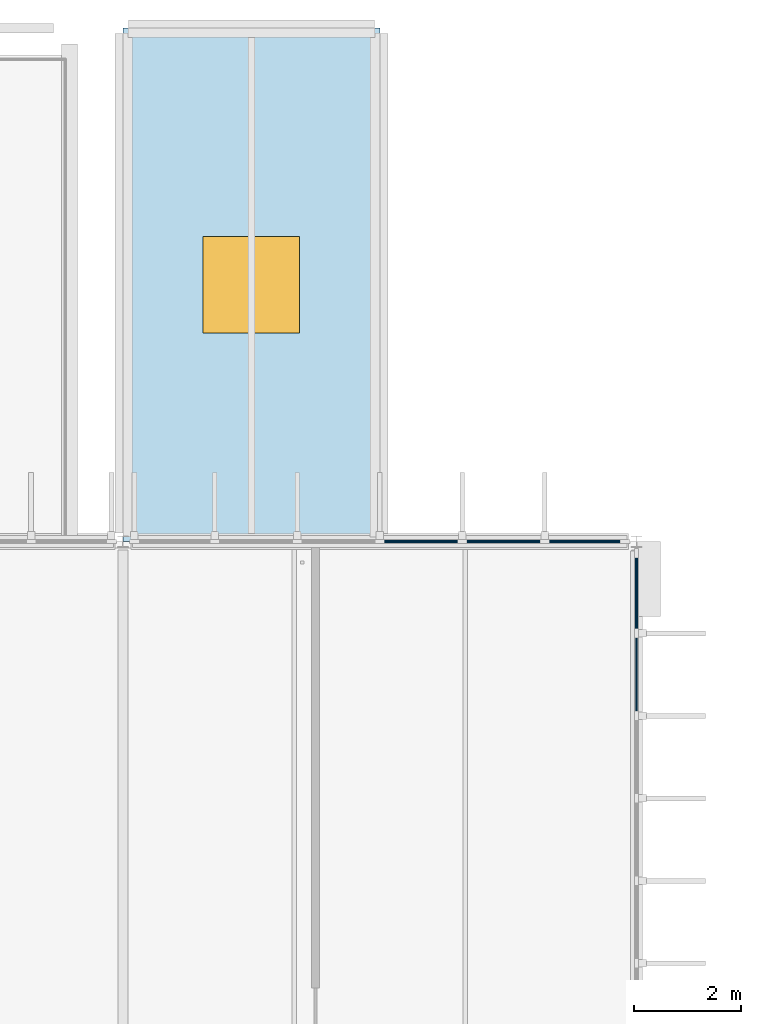
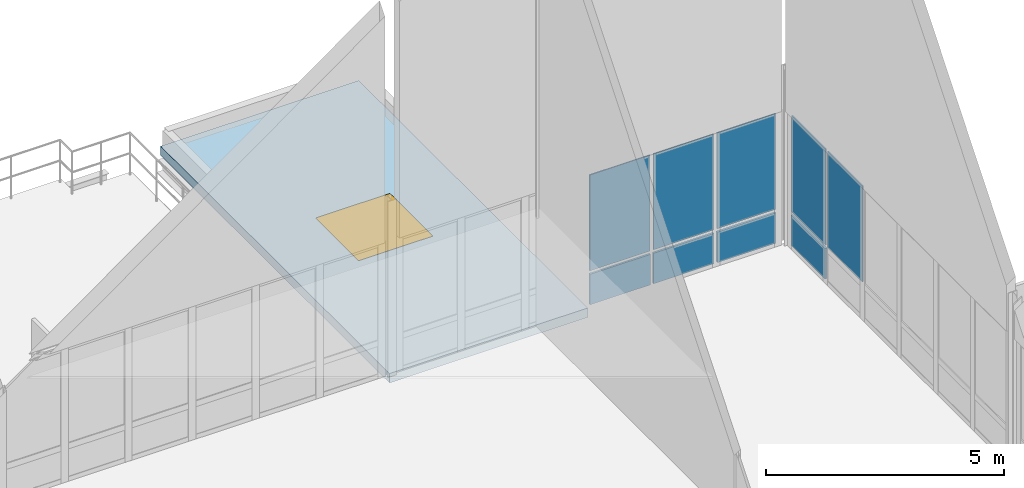
# One storey, part 46 of 93: 9 plates, 1 slab, 1 window, 1 opening, 2 elements without a shape of their own.
"""IFC4 building model written with IfcOpenShell, lengths in metres."""

from ifc_helpers import new_model, si_unit, direction, frame, origin, origin_2d, place, context, subcontext, project, spatial, polyline, rectangle, outline, extrude, material, layer, layer_set, type_object, element, fill, aggregate, save


model = new_model("IFC4")

# Units and contexts
model_context = context("Model", 3, precision=1e-05, world=origin(), true_north=direction((0.0, 1.0)))
body_context = subcontext(model_context, "Body", "Model", "MODEL_VIEW")
ifc_project = project(units=[si_unit("LENGTHUNIT", "METRE"), si_unit("AREAUNIT", "SQUARE_METRE"), si_unit("VOLUMEUNIT", "CUBIC_METRE"), si_unit("PLANEANGLEUNIT", "RADIAN"), si_unit("MASSUNIT", "GRAM", prefix="KILO")], contexts=[model_context])

# Site, building, storey
site_placement = place(None, origin())
site = spatial("IfcSite", under=ifc_project, at=site_placement, CompositionType="ELEMENT")
building_placement = place(site_placement, origin())
building = spatial("IfcBuilding", under=site, at=building_placement, Name="Dunescarp Central Library", CompositionType="ELEMENT")
storey_placement = place(building_placement, frame((0.0, 0.0, 14.10009765625)))
storey = spatial("IfcBuildingStorey", under=building, at=storey_placement, Name="L03", CompositionType="ELEMENT", Elevation=14.10009765625)

# Curtain wall, plates
ifc_material_1 = material(Name="Marine-grade anodised aluminium 6063-T6", Category="aluminium")
curtain_wall_type = type_object("IfcCurtainWallType", Name="ARC-CW-STICK", PredefinedType="NOTDEFINED", material=ifc_material_1)
curtain_wall_1_placement = place(storey_placement, origin())
curtain_wall_1 = element("IfcCurtainWall", 1, at=curtain_wall_1_placement, inside=storey, type_object=curtain_wall_type, Name="L03 curtain wall CW-V4-135", PredefinedType="NOTDEFINED")
ifc_material_2 = material(Name="Solar-control laminated double glazing", Category="glass")
ifc_layer_1 = layer(ifc_material_2, 0.028076171875)
ifc_layer_set_1 = layer_set([ifc_layer_1], Name="Solar-control laminated double glazing")
plate_type_1 = type_object("IfcPlateType", Name="ARC-PLT-GLZ28", PredefinedType="CURTAIN_PANEL", material=ifc_layer_set_1)
plate_1_placement = place(storey_placement, frame((28.800048828125, 88.63427734375, 0.93994140625), z_axis=(0.0, 0.0, 1.0), x_axis=(0.0, -1.0, 0.0)))
plate_1 = element("IfcPlate", 2, at=plate_1_placement, type_object=plate_type_1, Name="CW-V4-135 panel 1.2", PredefinedType="CURTAIN_PANEL", context=body_context, shape_type="SweptSolid", body=[
    extrude(rectangle(XDim=1.421630859375, YDim=0.028076171875, at=origin_2d()), origin(), (0.0, 0.0, 1.0), 2.4619140625),
])
plate_2_placement = place(storey_placement, frame((28.800048828125, 87.112548828125, 0.93994140625), z_axis=(0.0, 0.0, 1.0), x_axis=(0.0, -1.0, 0.0)))
plate_2 = element("IfcPlate", 3, at=plate_2_placement, type_object=plate_type_1, Name="CW-V4-135 panel 2.2", PredefinedType="CURTAIN_PANEL", context=body_context, shape_type="SweptSolid", body=[
    extrude(rectangle(XDim=1.461669921875, YDim=0.028076171875, at=origin_2d()), origin(), (0.0, 0.0, 1.0), 2.4619140625),
])

curtain_wall_2_placement = place(storey_placement, origin())
curtain_wall_2 = element("IfcCurtainWall", 4, at=curtain_wall_2_placement, inside=storey, type_object=curtain_wall_type, Name="L03 curtain wall CW-V4-137", PredefinedType="NOTDEFINED")
plate_3_placement = place(storey_placement, frame((24.770751953125, 89.60009765625, 0.93994140625), z_axis=(0.0, 0.0, 1.0), x_axis=(1.0, 0.0, 0.0)))
plate_3 = element("IfcPlate", 5, at=plate_3_placement, type_object=plate_type_1, Name="CW-V4-137 panel 4.2", PredefinedType="CURTAIN_PANEL", context=body_context, shape_type="SweptSolid", body=[
    extrude(rectangle(XDim=1.461669921875, YDim=0.028076171875, at=origin_2d()), origin(), (0.0, 0.0, 1.0), 2.455078125),
])
plate_4_placement = place(storey_placement, frame((26.3125, 89.60009765625, 0.93994140625), z_axis=(0.0, 0.0, 1.0), x_axis=(1.0, 0.0, 0.0)))
plate_4 = element("IfcPlate", 6, at=plate_4_placement, type_object=plate_type_1, Name="CW-V4-137 panel 5.2", PredefinedType="CURTAIN_PANEL", context=body_context, shape_type="SweptSolid", body=[
    extrude(rectangle(XDim=1.461669921875, YDim=0.028076171875, at=origin_2d()), origin(), (0.0, 0.0, 1.0), 2.455078125),
])
plate_5_placement = place(storey_placement, frame((27.834228515625, 89.60009765625, 0.93994140625), z_axis=(0.0, 0.0, 1.0), x_axis=(1.0, 0.0, 0.0)))
plate_5 = element("IfcPlate", 7, at=plate_5_placement, type_object=plate_type_1, Name="CW-V4-137 panel 6.2", PredefinedType="CURTAIN_PANEL", context=body_context, shape_type="SweptSolid", body=[
    extrude(rectangle(XDim=1.421630859375, YDim=0.028076171875, at=origin_2d()), origin(), (0.0, 0.0, 1.0), 2.455078125),
])

# Plate
ifc_layer_2 = layer(ifc_material_1, 0.050048828125)
ifc_layer_set_2 = layer_set([ifc_layer_2], Name="Marine-grade anodised aluminium 6063-T6")
plate_type_2 = type_object("IfcPlateType", Name="ARC-PLT-SPN50", PredefinedType="SHEET", material=ifc_layer_set_2)
plate_6_placement = place(storey_placement, frame((28.800048828125, 88.63427734375, 0.080078125), z_axis=(0.0, 0.0, 1.0), x_axis=(0.0, -1.0, 0.0)))
plate_6 = element("IfcPlate", 8, at=plate_6_placement, type_object=plate_type_2, Name="CW-V4-135 panel 1.1", PredefinedType="SHEET", context=body_context, shape_type="SweptSolid", body=[
    extrude(rectangle(XDim=1.421630859375, YDim=0.050048828125, at=origin_2d()), origin(), (0.0, 0.0, 1.0), 0.780029296875),
])

aggregate(curtain_wall_1, [plate_6, plate_1, plate_2])

plate_7_placement = place(storey_placement, frame((24.770751953125, 89.60009765625, 0.080078125), z_axis=(0.0, 0.0, 1.0), x_axis=(1.0, 0.0, 0.0)))
plate_7 = element("IfcPlate", 9, at=plate_7_placement, type_object=plate_type_2, Name="CW-V4-137 panel 4.1", PredefinedType="SHEET", context=body_context, shape_type="SweptSolid", body=[
    extrude(rectangle(XDim=1.461669921875, YDim=0.050048828125, at=origin_2d()), origin(), (0.0, 0.0, 1.0), 0.780029296875),
])

plate_8_placement = place(storey_placement, frame((26.3125, 89.60009765625, 0.080078125), z_axis=(0.0, 0.0, 1.0), x_axis=(1.0, 0.0, 0.0)))
plate_8 = element("IfcPlate", 10, at=plate_8_placement, type_object=plate_type_2, Name="CW-V4-137 panel 5.1", PredefinedType="SHEET", context=body_context, shape_type="SweptSolid", body=[
    extrude(rectangle(XDim=1.461669921875, YDim=0.050048828125, at=origin_2d()), origin(), (0.0, 0.0, 1.0), 0.780029296875),
])

plate_9_placement = place(storey_placement, frame((27.834228515625, 89.60009765625, 0.080078125), z_axis=(0.0, 0.0, 1.0), x_axis=(1.0, 0.0, 0.0)))
plate_9 = element("IfcPlate", 11, at=plate_9_placement, type_object=plate_type_2, Name="CW-V4-137 panel 6.1", PredefinedType="SHEET", context=body_context, shape_type="SweptSolid", body=[
    extrude(rectangle(XDim=1.421630859375, YDim=0.050048828125, at=origin_2d()), origin(), (0.0, 0.0, 1.0), 0.780029296875),
])

aggregate(curtain_wall_2, [plate_7, plate_3, plate_8, plate_4, plate_9, plate_5])

# Slab, opening, window
ifc_material_3 = material(Name="Concrete C35/45", Category="concrete")
ifc_layer_3 = layer(ifc_material_3, 0.199951171875)
ifc_layer_set_3 = layer_set([ifc_layer_3], Name="Concrete C35/45")
slab_type = type_object("IfcSlabType", Name="STR-SLB-ROOF200", PredefinedType="ROOF", material=ifc_layer_set_3)
slab_placement = place(storey_placement, frame((0.0, 0.0, -0.239990234375)))
slab = element("IfcSlab", 12, at=slab_placement, inside=storey, type_object=slab_type, Name="L03 flat roof slab V4N", PredefinedType="ROOF", context=body_context, shape_type="SweptSolid", body=[
    extrude(outline(polyline([(19.199951171875, 89.60009765625), (24.0, 89.60009765625), (24.0, 99.199951171875), (19.199951171875, 99.199951171875), (19.199951171875, 89.60009765625)])), origin(), (0.0, 0.0, 1.0), 0.239990234375),
])
opening_placement = place(slab_placement, frame((21.60009765625, 94.39990234375, -0.010009765625)))
opening = element("IfcOpeningElement", 13, at=opening_placement, cuts=slab, Name="Opening SKY-10", PredefinedType="OPENING", context=body_context, shape_type="SweptSolid", body=[
    extrude(rectangle(XDim=1.800048828125, YDim=1.800048828125, at=origin_2d()), origin(), (0.0, 0.0, 1.0), 0.260009765625),
])
window_type = type_object("IfcWindowType", Name="ARC-WN-SKY1800", PartitioningType="SINGLE_PANEL", PredefinedType="SKYLIGHT", material=ifc_material_2)
window_placement = place(slab_placement, frame((21.60009765625, 94.39990234375, 0.18994140625)))
window = element("IfcWindow", 14, at=window_placement, inside=storey, type_object=window_type, Name="L03 roof skylight SKY-10", OverallHeight=1.800048828125, OverallWidth=1.800048828125, PartitioningType="SINGLE_PANEL", PredefinedType="SKYLIGHT", context=body_context, shape_type="SweptSolid", body=[
    extrude(rectangle(XDim=1.800048828125, YDim=1.800048828125, at=origin_2d()), origin(), (0.0, 0.0, 1.0), 0.050048828125),
])
fill(opening, window)

save(model, "model.ifc")
